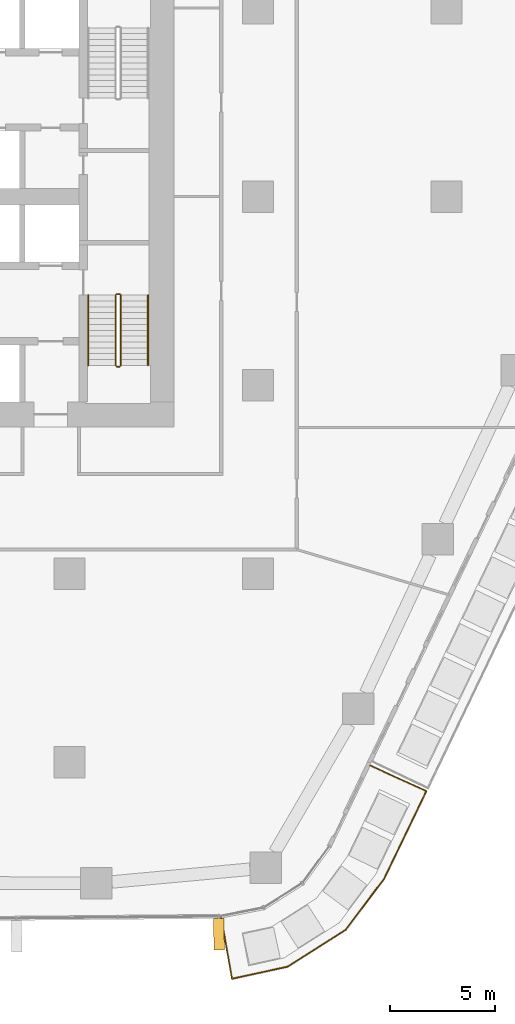
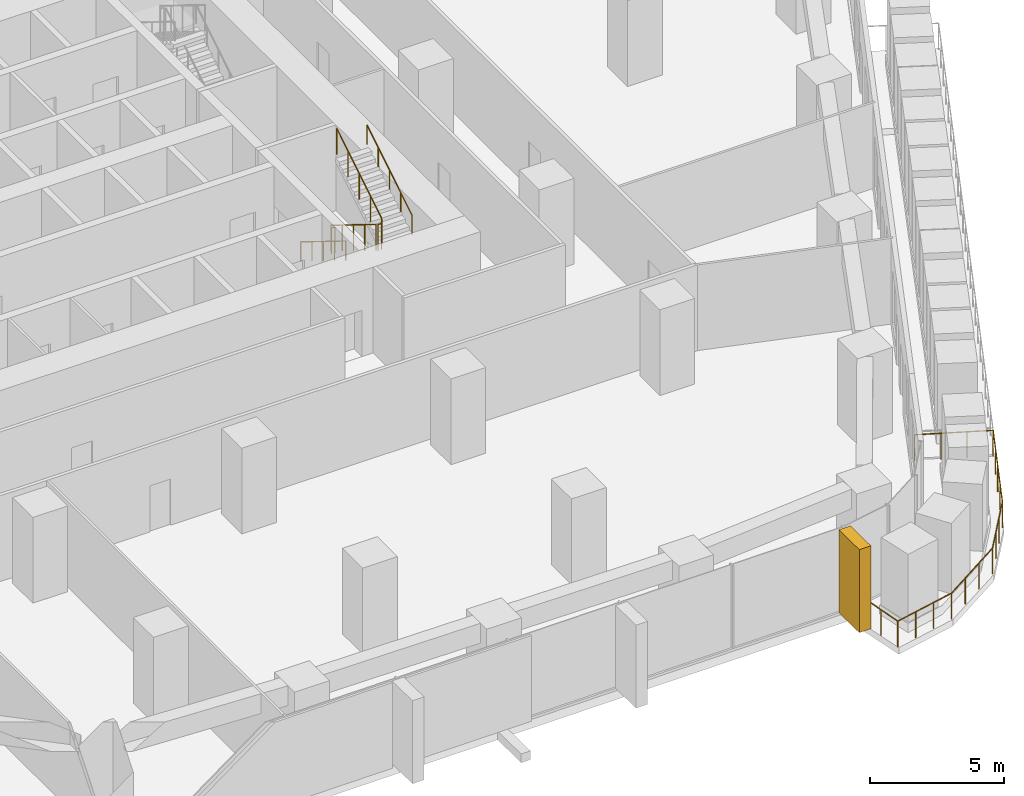
# One storey, part 19 of 23: 7 railings, 1 covering, 1 element without a shape of its own.
"""IFC4 building model written with IfcOpenShell, lengths in metres."""

from ifc_helpers import new_model, si_unit, direction, frame, origin, origin_2d, place, context, subcontext, project, spatial, rectangle, circle, extrude, material, layer, layer_set, material_profile, profile_set, type_object, element, aggregate, save


model = new_model("IFC4")

# Units and contexts
model_context = context("Model", 3, precision=1e-05, world=origin(), true_north=direction((0.0, 1.0)))
body_context = subcontext(model_context, "Body", "Model", "MODEL_VIEW")
ifc_project = project(units=[si_unit("LENGTHUNIT", "METRE"), si_unit("AREAUNIT", "SQUARE_METRE"), si_unit("VOLUMEUNIT", "CUBIC_METRE"), si_unit("PLANEANGLEUNIT", "RADIAN"), si_unit("MASSUNIT", "GRAM", prefix="KILO")], contexts=[model_context])

# Site, building, storey
site_placement = place(None, origin())
site = spatial("IfcSite", under=ifc_project, at=site_placement, CompositionType="ELEMENT")
building_placement = place(site_placement, origin())
building = spatial("IfcBuilding", under=site, at=building_placement, Name="Dongbaek Canopy Tower", CompositionType="ELEMENT")
storey_placement = place(building_placement, frame((0.0, 0.0, 84.699951171875)))
storey = spatial("IfcBuildingStorey", under=building, at=storey_placement, Name="L17", CompositionType="ELEMENT", Elevation=84.699951171875)

# Railing
ifc_material_1 = material(Name="Stainless steel", Category="steel")
railing_type_1 = type_object("IfcRailingType", Name="Balcony balustrade 1200", PredefinedType="BALUSTRADE", material=ifc_material_1)
railing_1_placement = place(storey_placement, frame((16.248046875, -34.4462890625, 0.0)))
element("IfcRailing", 1, at=railing_1_placement, inside=storey, type_object=railing_type_1, Name="Balcony guard L17 7", PredefinedType="BALUSTRADE", context=body_context, shape_type="SweptSolid", body=[
    extrude(circle(Radius=0.02392578125, at=origin_2d()), frame((0.0, 0.0, 1.17578125), z_axis=(0.173761653549, -0.984787737411, 0.0), x_axis=(0.984787737411, 0.173761653549, 0.0)), (0.0, 0.0, 1.0), 2.940673828125),
    extrude(circle(Radius=0.02392578125, at=origin_2d()), frame((0.510986328125, -2.89599609375, 1.17578125), z_axis=(0.977260025099, 0.212044437191, 0.0), x_axis=(-0.212044437191, 0.977260025099, 0.0)), (0.0, 0.0, 1.0), 2.710205078125),
    extrude(circle(Radius=0.02392578125, at=origin_2d()), frame((3.15966796875, -2.3212890625, 1.17578125), z_axis=(0.84373148173, 0.536765485793, 0.0), x_axis=(-0.536765485793, 0.84373148173, 0.0)), (0.0, 0.0, 1.0), 3.302978515625),
    extrude(circle(Radius=0.02392578125, at=origin_2d()), frame((5.946533203125, -0.54833984375, 1.17578125), z_axis=(0.601261507858, 0.799052313161, 0.0), x_axis=(-0.799052313161, 0.601261507858, 0.0)), (0.0, 0.0, 1.0), 3.03271484375),
    extrude(circle(Radius=0.02392578125, at=origin_2d()), frame((7.77001953125, 1.875, 1.17578125), z_axis=(0.434543781894, 0.900650710108, 0.0), x_axis=(-0.900650710108, 0.434543781894, 0.0)), (0.0, 0.0, 1.0), 4.656494140625),
    extrude(circle(Radius=0.02392578125, at=origin_2d()), frame((9.79345703125, 6.06884765625, 1.17578125), z_axis=(-0.910446073096, 0.413627789182, 0.0), x_axis=(-0.413627789182, -0.910446073096, 0.0)), (0.0, 0.0, 1.0), 2.940673828125),
    extrude(circle(Radius=0.02099609375, at=origin_2d()), origin(), (0.0, 0.0, 1.0), 1.15185546875),
    extrude(circle(Radius=0.02099609375, at=origin_2d()), frame((0.17041015625, -0.96533203125, 0.0)), (0.0, 0.0, 1.0), 1.15185546875),
    extrude(circle(Radius=0.02099609375, at=origin_2d()), frame((0.340576171875, -1.9306640625, 0.0)), (0.0, 0.0, 1.0), 1.15185546875),
    extrude(circle(Radius=0.02099609375, at=origin_2d()), frame((0.510986328125, -2.89599609375, 0.0)), (0.0, 0.0, 1.0), 1.15185546875),
    extrude(circle(Radius=0.02099609375, at=origin_2d()), frame((1.393798828125, -2.704345703125, 0.0)), (0.0, 0.0, 1.0), 1.15185546875),
    extrude(circle(Radius=0.02099609375, at=origin_2d()), frame((2.27685546875, -2.512939453125, 0.0)), (0.0, 0.0, 1.0), 1.15185546875),
    extrude(circle(Radius=0.02099609375, at=origin_2d()), frame((3.15966796875, -2.3212890625, 0.0)), (0.0, 0.0, 1.0), 1.15185546875),
    extrude(circle(Radius=0.02099609375, at=origin_2d()), frame((4.088623046875, -1.730224609375, 0.0)), (0.0, 0.0, 1.0), 1.15185546875),
    extrude(circle(Radius=0.02099609375, at=origin_2d()), frame((5.017578125, -1.139404296875, 0.0)), (0.0, 0.0, 1.0), 1.15185546875),
    extrude(circle(Radius=0.02099609375, at=origin_2d()), frame((5.946533203125, -0.54833984375, 0.0)), (0.0, 0.0, 1.0), 1.15185546875),
    extrude(circle(Radius=0.02099609375, at=origin_2d()), frame((6.554443359375, 0.259521484375, 0.0)), (0.0, 0.0, 1.0), 1.15185546875),
    extrude(circle(Radius=0.02099609375, at=origin_2d()), frame((7.162109375, 1.067138671875, 0.0)), (0.0, 0.0, 1.0), 1.15185546875),
    extrude(circle(Radius=0.02099609375, at=origin_2d()), frame((7.77001953125, 1.875, 0.0)), (0.0, 0.0, 1.0), 1.15185546875),
    extrude(circle(Radius=0.02099609375, at=origin_2d()), frame((8.27587890625, 2.92333984375, 0.0)), (0.0, 0.0, 1.0), 1.15185546875),
    extrude(circle(Radius=0.02099609375, at=origin_2d()), frame((8.78173828125, 3.971923828125, 0.0)), (0.0, 0.0, 1.0), 1.15185546875),
    extrude(circle(Radius=0.02099609375, at=origin_2d()), frame((9.28759765625, 5.0205078125, 0.0)), (0.0, 0.0, 1.0), 1.15185546875),
    extrude(circle(Radius=0.02099609375, at=origin_2d()), frame((9.79345703125, 6.06884765625, 0.0)), (0.0, 0.0, 1.0), 1.15185546875),
    extrude(circle(Radius=0.02099609375, at=origin_2d()), frame((8.901123046875, 6.474365234375, 0.0)), (0.0, 0.0, 1.0), 1.15185546875),
    extrude(circle(Radius=0.02099609375, at=origin_2d()), frame((8.008544921875, 6.879638671875, 0.0)), (0.0, 0.0, 1.0), 1.15185546875),
    extrude(circle(Radius=0.02099609375, at=origin_2d()), frame((7.1162109375, 7.28515625, 0.0)), (0.0, 0.0, 1.0), 1.15185546875),
])

# Curtain wall, covering
ifc_material_2 = material(Name="Aluminium 6063-T6 pale anodised", Category="aluminium")
ifc_layer = layer(ifc_material_2, 0.199951171875)
ifc_layer_set = layer_set([ifc_layer], Name="CW-1 unitised tower curtain wall")
curtain_wall_type = type_object("IfcCurtainWallType", Name="CW-1 unitised tower curtain wall", PredefinedType="NOTDEFINED", material=ifc_layer_set)
curtain_wall_placement = place(storey_placement, origin())
curtain_wall = element("IfcCurtainWall", 2, at=curtain_wall_placement, inside=storey, type_object=curtain_wall_type, Name="CW-1 curtain wall F4.1", PredefinedType="NOTDEFINED")
ifc_material_3 = material(Name="Aluminium 6063-T6 pale metal fin", Category="aluminium")
ifc_material_profile = material_profile(ifc_material_3, rectangle(XDim=1.5, YDim=0.5, at=origin_2d()), Name="Fin FN1 500 x 1500 pale metal")
ifc_profile_set = profile_set([ifc_material_profile], Name="Aluminium 6063-T6 pale metal fin")
covering_type = type_object("IfcCoveringType", Name="Fin FN1 500 x 1500 pale metal", PredefinedType="CLADDING", material=ifc_profile_set)
covering_placement = place(storey_placement, frame((16.137939453125, -35.217529296875, 0.1201171875), z_axis=(0.0, 0.0, 1.0), x_axis=(0.009200905705, -0.999957670771, 0.0)))
covering = element("IfcCovering", 3, at=covering_placement, type_object=covering_type, Name="Fin F4.1.7", PredefinedType="CLADDING", context=body_context, shape_type="SweptSolid", body=[
    extrude(rectangle(XDim=1.5, YDim=0.5, at=origin_2d()), origin(), (0.0, 0.0, 1.0), 3.780029296875),
])
aggregate(curtain_wall, [covering])

# Railings
ifc_material_4 = material(Name="Stainless steel tube and balusters", Category="steel")
railing_type_2 = type_object("IfcRailingType", Name="Stair guard 1200", PredefinedType="GUARDRAIL", material=ifc_material_4)
railing_2_placement = place(storey_placement, frame((11.199951171875, -4.699951171875, 0.173095703125)))
element("IfcRailing", 4, at=railing_2_placement, inside=storey, type_object=railing_type_2, Name="L17 ST-B stair guard 1", PredefinedType="GUARDRAIL", context=body_context, shape_type="SweptSolid", body=[
    extrude(circle(Radius=0.02392578125, at=origin_2d()), frame((0.0, 0.0, 1.17578125), z_axis=(0.0, -0.850623216509, 0.525775754039), x_axis=(1.0, 0.0, 0.0)), (0.0, 0.0, 1.0), 3.9501953125),
    extrude(circle(Radius=0.02099609375, at=origin_2d()), origin(), (0.0, 0.0, 1.0), 1.15185546875),
    extrude(circle(Radius=0.02099609375, at=origin_2d()), frame((0.0, -0.840087890625, 0.519287109375)), (0.0, 0.0, 1.0), 1.15185546875),
    extrude(circle(Radius=0.02099609375, at=origin_2d()), frame((0.0, -1.68017578125, 1.03857421875)), (0.0, 0.0, 1.0), 1.15185546875),
    extrude(circle(Radius=0.02099609375, at=origin_2d()), frame((0.0, -2.52001953125, 1.5576171875)), (0.0, 0.0, 1.0), 1.15185546875),
    extrude(circle(Radius=0.02099609375, at=origin_2d()), frame((0.0, -3.360107421875, 2.076904296875)), (0.0, 0.0, 1.0), 1.15185546875),
])
railing_3_placement = place(storey_placement, frame((11.25, -8.110107421875, 2.25)))
element("IfcRailing", 5, at=railing_3_placement, inside=storey, type_object=railing_type_2, Name="L17 ST-B stair guard 2", PredefinedType="GUARDRAIL", context=body_context, shape_type="SweptSolid", body=[
    extrude(circle(Radius=0.02392578125, at=origin_2d()), frame((0.0, 0.0, 1.17578125), z_axis=(1.0, 0.0, 0.0), x_axis=(0.0, 1.0, 0.0)), (0.0, 0.0, 1.0), 0.14990234375),
    extrude(circle(Radius=0.02099609375, at=origin_2d()), origin(), (0.0, 0.0, 1.0), 1.15185546875),
    extrude(circle(Radius=0.02099609375, at=origin_2d()), frame((0.14990234375, 0.0, 0.0)), (0.0, 0.0, 1.0), 1.15185546875),
])
railing_4_placement = place(storey_placement, frame((11.449951171875, -8.06005859375, 2.423095703125)))
element("IfcRailing", 6, at=railing_4_placement, inside=storey, type_object=railing_type_2, Name="L17 ST-B stair guard 3", PredefinedType="GUARDRAIL", context=body_context, shape_type="SweptSolid", body=[
    extrude(circle(Radius=0.02392578125, at=origin_2d()), frame((0.0, 0.0, 1.17578125), z_axis=(0.0, 0.850623216509, 0.525775754039), x_axis=(-1.0, 0.0, 0.0)), (0.0, 0.0, 1.0), 3.9501953125),
    extrude(circle(Radius=0.02099609375, at=origin_2d()), origin(), (0.0, 0.0, 1.0), 1.15185546875),
    extrude(circle(Radius=0.02099609375, at=origin_2d()), frame((0.0, 0.840087890625, 0.519287109375)), (0.0, 0.0, 1.0), 1.15185546875),
    extrude(circle(Radius=0.02099609375, at=origin_2d()), frame((0.0, 1.68017578125, 1.03857421875)), (0.0, 0.0, 1.0), 1.15185546875),
    extrude(circle(Radius=0.02099609375, at=origin_2d()), frame((0.0, 2.52001953125, 1.5576171875)), (0.0, 0.0, 1.0), 1.15185546875),
    extrude(circle(Radius=0.02099609375, at=origin_2d()), frame((0.0, 3.360107421875, 2.076904296875)), (0.0, 0.0, 1.0), 1.15185546875),
])
railing_5_placement = place(storey_placement, frame((11.25, -4.64990234375, 0.0)))
element("IfcRailing", 7, at=railing_5_placement, inside=storey, type_object=railing_type_2, Name="L17 ST-B stair guard 4", PredefinedType="GUARDRAIL", context=body_context, shape_type="SweptSolid", body=[
    extrude(circle(Radius=0.02392578125, at=origin_2d()), frame((0.0, 0.0, 1.17578125), z_axis=(1.0, 0.0, 0.0), x_axis=(0.0, 1.0, 0.0)), (0.0, 0.0, 1.0), 0.14990234375),
    extrude(circle(Radius=0.02099609375, at=origin_2d()), origin(), (0.0, 0.0, 1.0), 1.15185546875),
    extrude(circle(Radius=0.02099609375, at=origin_2d()), frame((0.14990234375, 0.0, 0.0)), (0.0, 0.0, 1.0), 1.15185546875),
])
ifc_material_5 = material(Name="Stainless steel tube", Category="steel")
railing_type_3 = type_object("IfcRailingType", Name="Stair handrail 900", PredefinedType="HANDRAIL", material=ifc_material_5)
railing_6_placement = place(storey_placement, frame((9.89990234375, -4.699951171875, 0.173095703125)))
element("IfcRailing", 8, at=railing_6_placement, inside=storey, type_object=railing_type_3, Name="L17 ST-B stair handrail 1", PredefinedType="HANDRAIL", context=body_context, shape_type="SweptSolid", body=[
    extrude(circle(Radius=0.02392578125, at=origin_2d()), frame((0.0, 0.0, 0.8759765625), z_axis=(0.0, -0.850623216509, 0.525775754039), x_axis=(1.0, 0.0, 0.0)), (0.0, 0.0, 1.0), 3.9501953125),
    extrude(circle(Radius=0.02099609375, at=origin_2d()), origin(), (0.0, 0.0, 1.0), 0.851806640625),
    extrude(circle(Radius=0.02099609375, at=origin_2d()), frame((0.0, -0.840087890625, 0.519287109375)), (0.0, 0.0, 1.0), 0.851806640625),
    extrude(circle(Radius=0.02099609375, at=origin_2d()), frame((0.0, -1.68017578125, 1.03857421875)), (0.0, 0.0, 1.0), 0.851806640625),
    extrude(circle(Radius=0.02099609375, at=origin_2d()), frame((0.0, -2.52001953125, 1.5576171875)), (0.0, 0.0, 1.0), 0.851806640625),
    extrude(circle(Radius=0.02099609375, at=origin_2d()), frame((0.0, -3.360107421875, 2.076904296875)), (0.0, 0.0, 1.0), 0.851806640625),
])
railing_7_placement = place(storey_placement, frame((12.75, -8.06005859375, 2.423095703125)))
element("IfcRailing", 9, at=railing_7_placement, inside=storey, type_object=railing_type_3, Name="L17 ST-B stair handrail 2", PredefinedType="HANDRAIL", context=body_context, shape_type="SweptSolid", body=[
    extrude(circle(Radius=0.02392578125, at=origin_2d()), frame((0.0, 0.0, 0.8759765625), z_axis=(0.0, 0.850623216509, 0.525775754039), x_axis=(-1.0, 0.0, 0.0)), (0.0, 0.0, 1.0), 3.9501953125),
    extrude(circle(Radius=0.02099609375, at=origin_2d()), origin(), (0.0, 0.0, 1.0), 0.851806640625),
    extrude(circle(Radius=0.02099609375, at=origin_2d()), frame((0.0, 0.840087890625, 0.519287109375)), (0.0, 0.0, 1.0), 0.851806640625),
    extrude(circle(Radius=0.02099609375, at=origin_2d()), frame((0.0, 1.68017578125, 1.03857421875)), (0.0, 0.0, 1.0), 0.851806640625),
    extrude(circle(Radius=0.02099609375, at=origin_2d()), frame((0.0, 2.52001953125, 1.5576171875)), (0.0, 0.0, 1.0), 0.851806640625),
    extrude(circle(Radius=0.02099609375, at=origin_2d()), frame((0.0, 3.360107421875, 2.076904296875)), (0.0, 0.0, 1.0), 0.851806640625),
])

save(model, "model.ifc")
